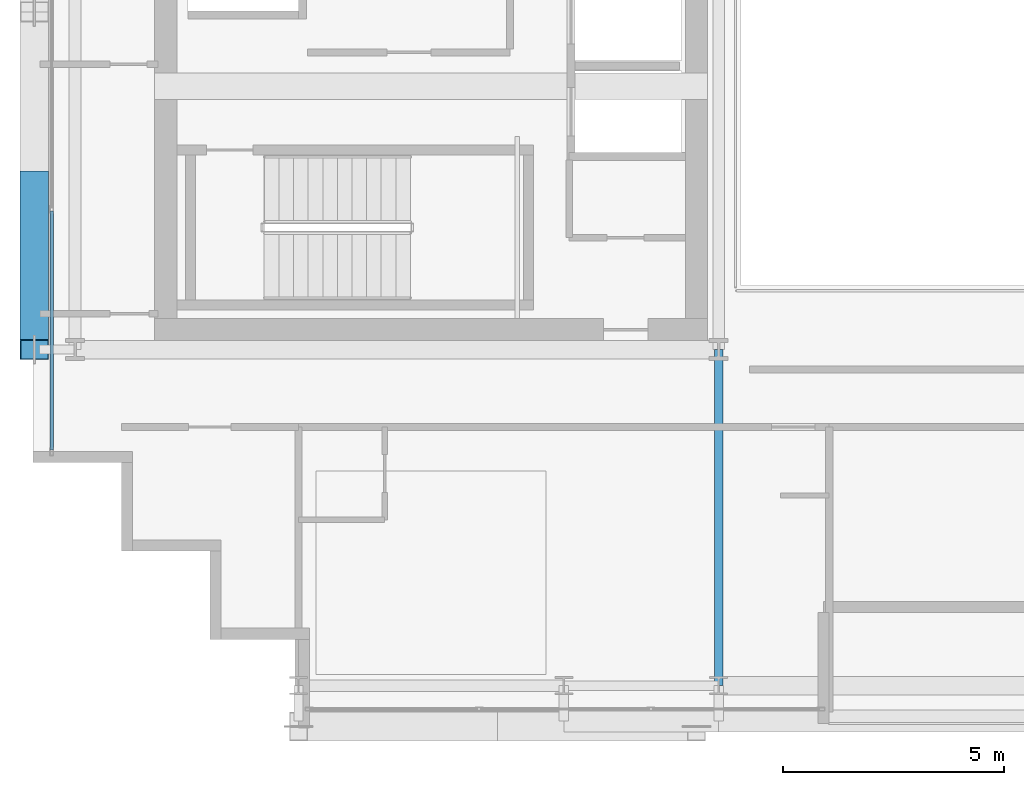
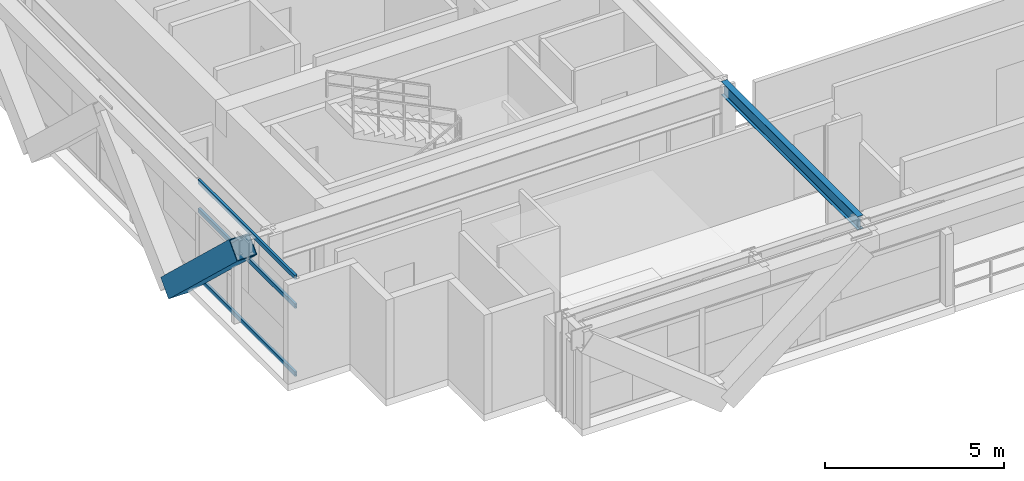
# One storey, part 3 of 31: 4 members, 1 beam, 1 element without a shape of its own.
"""IFC4 building model written with IfcOpenShell, lengths in metres."""

from ifc_helpers import new_model, si_unit, direction, frame, origin, origin_2d, place, context, subcontext, project, spatial, hollow_rectangle, i_section, extrude, source, transform, mapped, material, layer, layer_set, material_profile, profile_set, type_object, element, aggregate, save


model = new_model("IFC4")

# Units and contexts
model_context = context("Model", 3, precision=1e-05, world=origin(), true_north=direction((0.0, 1.0)))
body_context = subcontext(model_context, "Body", "Model", "MODEL_VIEW")
ifc_project = project(units=[si_unit("LENGTHUNIT", "METRE"), si_unit("AREAUNIT", "SQUARE_METRE"), si_unit("VOLUMEUNIT", "CUBIC_METRE"), si_unit("PLANEANGLEUNIT", "RADIAN"), si_unit("MASSUNIT", "GRAM", prefix="KILO")], contexts=[model_context])

# Site, building, storey
site_placement = place(None, origin())
site = spatial("IfcSite", under=ifc_project, at=site_placement, CompositionType="ELEMENT")
building_placement = place(site_placement, origin())
building = spatial("IfcBuilding", under=site, at=building_placement, Name="Ocotamira Hotel", CompositionType="ELEMENT")
storey_placement = place(building_placement, frame((0.0, 0.0, 199.199951171875)))
storey = spatial("IfcBuildingStorey", under=building, at=storey_placement, Name="L50", CompositionType="ELEMENT", Elevation=199.199951171875)

# Beam
ifc_material_1 = material(Name="Steel ASTM A992 Grade 50", Category="steel")
ifc_material_profile_1 = material_profile(ifc_material_1, i_section(OverallWidth=0.18994140625, OverallDepth=0.45703125, WebThickness=0.009033203125, FlangeThickness=0.014404296875, FilletRadius=0.010009765625, at=origin_2d()), Name="W18X50")
ifc_profile_set_1 = profile_set([ifc_material_profile_1], Name="Steel ASTM A992 Grade 50")
beam_type = type_object("IfcBeamType", Name="BM-SEC-W18X50", PredefinedType="JOIST", material=ifc_profile_set_1)
shared_shape_1 = source(origin(), body_context, "Body", "SweptSolid", [
    extrude(i_section(OverallWidth=0.18994140625, OverallDepth=0.45703125, WebThickness=0.009033203125, FlangeThickness=0.014404296875, FilletRadius=0.010009765625, at=origin_2d()), origin(), (0.0, 0.0, 1.0), 7.60009765625),
])
beam_placement = place(storey_placement, frame((23.5, 6.949951171875, 3.1416015625), z_axis=(0.0, 1.0, 0.0), x_axis=(-1.0, 0.0, 0.0)))
element("IfcBeam", 1, at=beam_placement, inside=storey, type_object=beam_type, Name="L50 Beam X23.5 Y6.95-14.55", PredefinedType="JOIST", context=body_context, shape_type="MappedRepresentation", body=[
    mapped(shared_shape_1, transform((0.0, 0.0, 0.0), scale=1.0)),
])

# Member
ifc_material_2 = material(Name="Pale-metal coated steel ASTM A913 Grade 65", Category="steel")
ifc_material_profile_2 = material_profile(ifc_material_2, hollow_rectangle(XDim=0.64990234375, YDim=0.64990234375, WallThickness=0.02197265625, at=origin_2d()), Name="BOX650X650X22")
ifc_profile_set_2 = profile_set([ifc_material_profile_2], Name="Pale-metal coated steel ASTM A913 Grade 65")
member_type_1 = type_object("IfcMemberType", Name="MEM-EXO-BOX650", PredefinedType="BRACE", material=ifc_profile_set_2)
shared_shape_2 = source(origin(), body_context, "Body", "SweptSolid", [
    extrude(hollow_rectangle(XDim=0.64990234375, YDim=0.64990234375, WallThickness=0.02197265625, at=origin_2d()), origin(), (0.0, 0.0, 1.0), 5.24658203125),
])
member_1_placement = place(storey_placement, frame((8.030029296875, 18.36669921875, -0.47998046875), z_axis=(0.0, -0.727442733726, 0.686168397078), x_axis=(1.0, 0.0, 0.0)))
element("IfcMember", 2, at=member_1_placement, inside=storey, type_object=member_type_1, Name="L50 Exoskeleton Diagrid W0.1", PredefinedType="BRACE", context=body_context, shape_type="MappedRepresentation", body=[
    mapped(shared_shape_2, transform((0.0, 0.0, 0.0), scale=1.0)),
])

# Curtain wall, members
ifc_material_3 = material(Name="Anodised pale-metal aluminium and solar glass", Category="aluminium")
ifc_layer = layer(ifc_material_3, 0.199951171875)
ifc_layer_set = layer_set([ifc_layer], Name="Anodised pale-metal aluminium and solar glass")
curtain_wall_type = type_object("IfcCurtainWallType", Name="CW-SYS4-Z3", PredefinedType="NOTDEFINED", material=ifc_layer_set)
curtain_wall_placement = place(storey_placement, origin())
curtain_wall = element("IfcCurtainWall", 3, at=curtain_wall_placement, inside=storey, type_object=curtain_wall_type, Name="L50 Curtain Wall CW-4 CW-L50-W", PredefinedType="NOTDEFINED")
ifc_material_4 = material(Name="Anodised pale-metal aluminium 6063-T6", Category="aluminium")
ifc_material_profile_3 = material_profile(ifc_material_4, hollow_rectangle(XDim=0.074951171875, YDim=0.14990234375, WallThickness=0.006103515625, at=origin_2d()), Name="HSS150X75X6")
ifc_profile_set_3 = profile_set([ifc_material_profile_3], Name="Anodised pale-metal aluminium 6063-T6")
member_type_2 = type_object("IfcMemberType", Name="CWT-150X75", PredefinedType="USERDEFINED", material=ifc_profile_set_3)
shared_shape_3 = source(origin(), body_context, "Body", "SweptSolid", [
    extrude(hollow_rectangle(XDim=0.074951171875, YDim=0.14990234375, WallThickness=0.006103515625, at=origin_2d()), origin(), (0.0, 0.0, 1.0), 5.39990234375),
])
member_2_placement = place(storey_placement, frame((8.419921875, 12.280029296875, 0.03759765625), z_axis=(0.0, 1.0, 0.0), x_axis=(-1.0, 0.0, 0.0)))
member_2 = element("IfcMember", 4, at=member_2_placement, type_object=member_type_2, Name="CW-4 transom 1.1", ObjectType="TRANSOM", PredefinedType="USERDEFINED", context=body_context, shape_type="MappedRepresentation", body=[
    mapped(shared_shape_3, transform((0.0, 0.0, 0.0), scale=1.0)),
])
member_3_placement = place(storey_placement, frame((8.419921875, 12.280029296875, 2.35009765625), z_axis=(0.0, 1.0, 0.0), x_axis=(-1.0, 0.0, 0.0)))
member_3 = element("IfcMember", 5, at=member_3_placement, type_object=member_type_2, Name="CW-4 transom 1.2", ObjectType="TRANSOM", PredefinedType="USERDEFINED", context=body_context, shape_type="MappedRepresentation", body=[
    mapped(shared_shape_3, transform((0.0, 0.0, 0.0), scale=1.0)),
])
member_4_placement = place(storey_placement, frame((8.419921875, 12.280029296875, 3.33251953125), z_axis=(0.0, 1.0, 0.0), x_axis=(-1.0, 0.0, 0.0)))
member_4 = element("IfcMember", 6, at=member_4_placement, type_object=member_type_2, Name="CW-4 transom 1.3", ObjectType="TRANSOM", PredefinedType="USERDEFINED", context=body_context, shape_type="MappedRepresentation", body=[
    mapped(shared_shape_3, transform((0.0, 0.0, 0.0), scale=1.0)),
])
aggregate(curtain_wall, [member_2, member_3, member_4])

save(model, "model.ifc")
